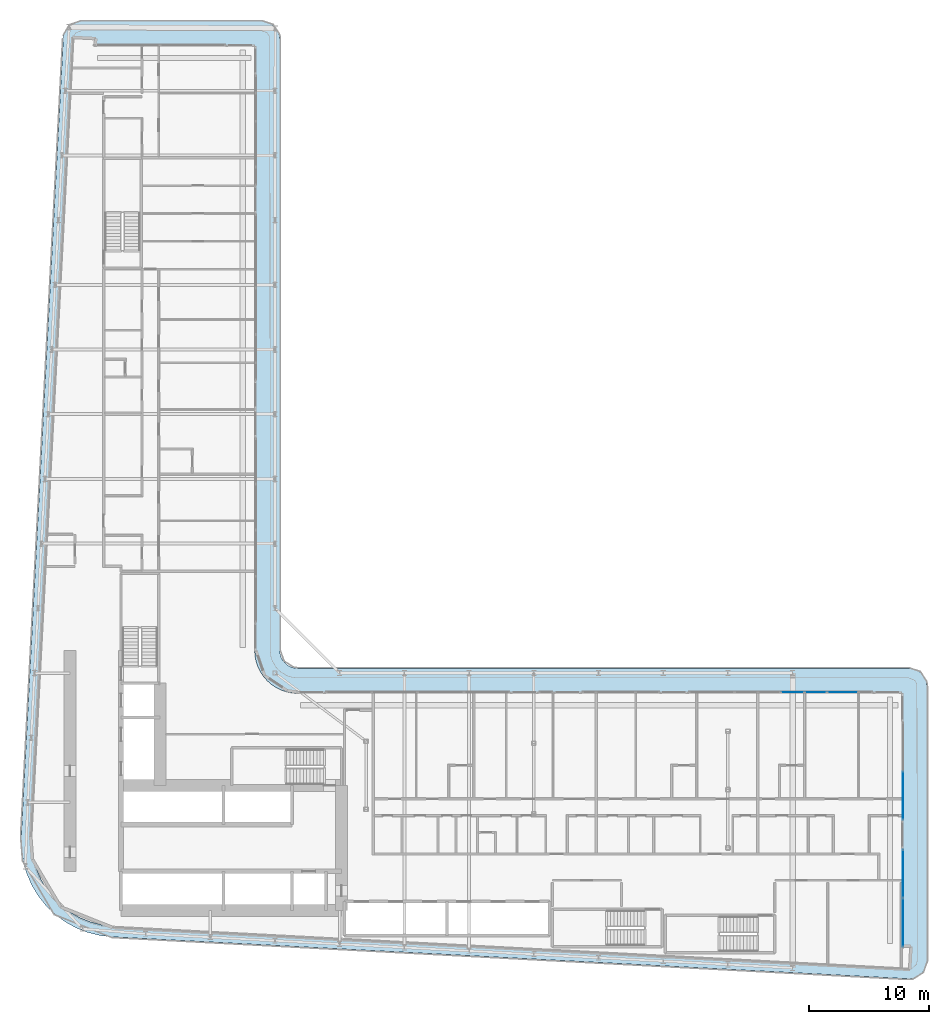
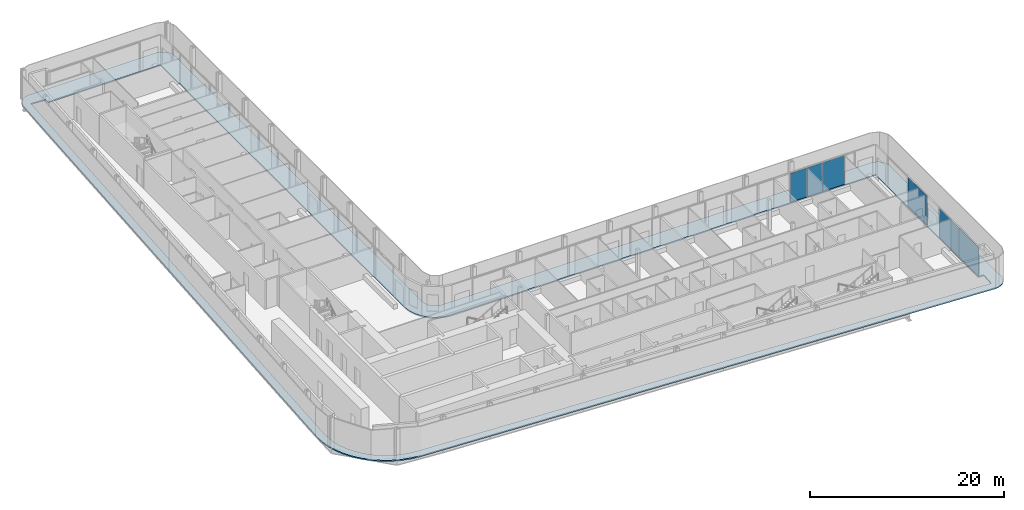
# One storey, part 12 of 29: 6 plates, 1 slab, 3 elements without a shape of their own.
"""IFC4 building model written with IfcOpenShell, lengths in metres."""

from ifc_helpers import new_model, si_unit, direction, frame, origin, origin_2d, place, context, subcontext, project, spatial, polyline, rectangle, outline, extrude, material, layer, layer_set, type_object, element, aggregate, save


model = new_model("IFC4")

# Units and contexts
model_context = context("Model", 3, precision=1e-05, world=origin(), true_north=direction((0.0, 1.0)))
body_context = subcontext(model_context, "Body", "Model", "MODEL_VIEW")
ifc_project = project(units=[si_unit("LENGTHUNIT", "METRE"), si_unit("AREAUNIT", "SQUARE_METRE"), si_unit("VOLUMEUNIT", "CUBIC_METRE"), si_unit("PLANEANGLEUNIT", "RADIAN"), si_unit("MASSUNIT", "GRAM", prefix="KILO")], contexts=[model_context])

# Site, building, storey
site_placement = place(None, origin())
site = spatial("IfcSite", under=ifc_project, at=site_placement, CompositionType="ELEMENT")
building_placement = place(site_placement, origin())
building = spatial("IfcBuilding", under=site, at=building_placement, Name="Kheshtan School and Residences Tower", CompositionType="ELEMENT")
storey_placement = place(building_placement, frame((0.0, 0.0, 65.60009765625)))
storey = spatial("IfcBuildingStorey", under=building, at=storey_placement, Name="L15", CompositionType="ELEMENT", Elevation=65.60009765625)

# Curtain wall, plates
ifc_material_1 = material(Name="Clear low-e glass in thermally broken aluminium frame", Category="aluminium")
ifc_layer_1 = layer(ifc_material_1, 0.199951171875)
ifc_layer_set_1 = layer_set([ifc_layer_1], Name="Curtain wall CW-L")
curtain_wall_type = type_object("IfcCurtainWallType", Name="Curtain wall CW-L", PredefinedType="NOTDEFINED", material=ifc_layer_set_1)
curtain_wall_1_placement = place(storey_placement, origin())
curtain_wall_1 = element("IfcCurtainWall", 1, at=curtain_wall_1_placement, inside=storey, type_object=curtain_wall_type, Name="Curtain wall CWL12m", PredefinedType="NOTDEFINED")
ifc_layer_2 = layer(ifc_material_1, 0.031982421875)
ifc_layer_set_2 = layer_set([ifc_layer_2], Name="CW-L glass panel")
plate_type = type_object("IfcPlateType", Name="CW-L glass panel", PredefinedType="CURTAIN_PANEL", material=ifc_layer_set_2)
plate_1_placement = place(storey_placement, frame((90.7880859375, 44.0, 0.0), z_axis=(0.0, 0.0, 1.0), x_axis=(1.0, 0.0, 0.0)))
plate_1 = element("IfcPlate", 2, at=plate_1_placement, type_object=plate_type, Name="CWL12m panel 1.1", PredefinedType="CURTAIN_PANEL", context=body_context, shape_type="SweptSolid", body=[
    extrude(rectangle(XDim=1.964111328125, YDim=0.031982421875, at=origin_2d()), origin(), (0.0, 0.0, 1.0), 3.6298828125),
])
plate_2_placement = place(storey_placement, frame((92.7265625, 44.0, 0.0), z_axis=(0.0, 0.0, 1.0), x_axis=(1.0, 0.0, 0.0)))
plate_2 = element("IfcPlate", 3, at=plate_2_placement, type_object=plate_type, Name="CWL12m panel 2.1", PredefinedType="CURTAIN_PANEL", context=body_context, shape_type="SweptSolid", body=[
    extrude(rectangle(XDim=1.79296875, YDim=0.031982421875, at=origin_2d()), origin(), (0.0, 0.0, 1.0), 3.6298828125),
])
plate_3_placement = place(storey_placement, frame((94.9765625, 44.0, 0.0), z_axis=(0.0, 0.0, 1.0), x_axis=(1.0, 0.0, 0.0)))
plate_3 = element("IfcPlate", 4, at=plate_3_placement, type_object=plate_type, Name="CWL12m panel 3.1", PredefinedType="CURTAIN_PANEL", context=body_context, shape_type="SweptSolid", body=[
    extrude(rectangle(XDim=2.5869140625, YDim=0.031982421875, at=origin_2d()), origin(), (0.0, 0.0, 1.0), 3.6298828125),
])
aggregate(curtain_wall_1, [plate_1, plate_2, plate_3])

# Curtain wall, plate
curtain_wall_2_placement = place(storey_placement, origin())
curtain_wall_2 = element("IfcCurtainWall", 5, at=curtain_wall_2_placement, inside=storey, type_object=curtain_wall_type, Name="Curtain wall CWL13b", PredefinedType="NOTDEFINED")
plate_4_placement = place(storey_placement, frame((100.0, 35.370361328125, 0.0), z_axis=(0.0, 0.0, 1.0), x_axis=(0.0, -1.0, 0.0)))
plate_4 = element("IfcPlate", 6, at=plate_4_placement, type_object=plate_type, Name="CWL13b panel 2.1", PredefinedType="CURTAIN_PANEL", context=body_context, shape_type="SweptSolid", body=[
    extrude(rectangle(XDim=4.006591796875, YDim=0.031982421875, at=origin_2d()), origin(), (0.0, 0.0, 1.0), 3.6298828125),
])
aggregate(curtain_wall_2, [plate_4])

# Curtain wall, plates
curtain_wall_3_placement = place(storey_placement, origin())
curtain_wall_3 = element("IfcCurtainWall", 7, at=curtain_wall_3_placement, inside=storey, type_object=curtain_wall_type, Name="Curtain wall CWL13b", PredefinedType="NOTDEFINED")
plate_5_placement = place(storey_placement, frame((100.0, 28.84375, 0.0), z_axis=(0.0, 0.0, 1.0), x_axis=(0.0, -1.0, 0.0)))
plate_5 = element("IfcPlate", 8, at=plate_5_placement, type_object=plate_type, Name="CWL13b panel 1.1", PredefinedType="CURTAIN_PANEL", context=body_context, shape_type="SweptSolid", body=[
    extrude(rectangle(XDim=4.006591796875, YDim=0.031982421875, at=origin_2d()), origin(), (0.0, 0.0, 1.0), 3.6298828125),
])
plate_6_placement = place(storey_placement, frame((100.0, 24.77734375, 0.0), z_axis=(0.0, 0.0, 1.0), x_axis=(0.0, -1.0, 0.0)))
plate_6 = element("IfcPlate", 9, at=plate_6_placement, type_object=plate_type, Name="CWL13b panel 2.1", PredefinedType="CURTAIN_PANEL", context=body_context, shape_type="SweptSolid", body=[
    extrude(rectangle(XDim=4.006591796875, YDim=0.031982421875, at=origin_2d()), origin(), (0.0, 0.0, 1.0), 3.6298828125),
])
aggregate(curtain_wall_3, [plate_5, plate_6])

# Slab
ifc_material_2 = material(Name="Concrete C40/50", Category="concrete")
ifc_layer_3 = layer(ifc_material_2, 0.14990234375)
ifc_layer_set_3 = layer_set([ifc_layer_3], Name="Loggia balcony slab 150 Concrete C40/50")
slab_type = type_object("IfcSlabType", Name="Loggia balcony slab 150 Concrete C40/50", PredefinedType="FLOOR", material=ifc_layer_set_3)
slab_placement = place(storey_placement, frame((0.0, 0.0, -0.150146484375)))
element("IfcSlab", 10, at=slab_placement, inside=storey, type_object=slab_type, Name="Loggia balcony slab L15", PredefinedType="FLOOR", context=body_context, shape_type="SweptSolid", body=[
    extrude(outline(polyline([(28.4580078125, 26.222900390625), (28.45703125, 26.222900390625), (28.45703125, 26.22412109375), (28.4560546875, 26.22412109375), (27.81494140625, 27.0390625), (27.281005859375, 27.93798828125), (26.867919921875, 28.89990234375), (26.583984375, 29.89990234375), (26.583984375, 29.906982421875), (26.43408203125, 30.943115234375), (26.419921875, 31.989013671875), (29.925048828125, 98.5791015625), (29.930908203125, 98.626953125), (29.930908203125, 98.6279296875), (29.929931640625, 98.6279296875), (29.929931640625, 98.62890625), (29.928955078125, 98.62890625), (29.928955078125, 98.6298828125), (29.927978515625, 98.6298828125), (29.927978515625, 98.631103515625), (29.927001953125, 98.631103515625), (29.927001953125, 98.632080078125), (29.927001953125, 98.633056640625), (29.945068359375, 98.781005859375), (29.945068359375, 98.783935546875), (29.945068359375, 98.784912109375), (29.946044921875, 98.784912109375), (29.946044921875, 98.785888671875), (29.947021484375, 98.785888671875), (29.947021484375, 98.787109375), (29.947998046875, 98.787109375), (29.948974609375, 98.787109375), (29.948974609375, 98.7880859375), (29.949951171875, 98.7880859375), (29.949951171875, 98.7890625), (29.949951171875, 98.791015625), (30.0029296875, 98.98388671875), (30.083984375, 99.175048828125), (30.18896484375, 99.35302734375), (30.31103515625, 99.507080078125), (30.31201171875, 99.507080078125), (30.31201171875, 99.508056640625), (30.31298828125, 99.508056640625), (30.31298828125, 99.509033203125), (30.31396484375, 99.509033203125), (30.31396484375, 99.510009765625), (30.31494140625, 99.510009765625), (30.31494140625, 99.510986328125), (30.31591796875, 99.510986328125), (30.31591796875, 99.511962890625), (30.31689453125, 99.511962890625), (30.31689453125, 99.512939453125), (30.318115234375, 99.512939453125), (30.320068359375, 99.512939453125), (30.321044921875, 99.512939453125), (30.321044921875, 99.513916015625), (30.468017578125, 99.656982421875), (30.468994140625, 99.656982421875), (30.468994140625, 99.657958984375), (30.469970703125, 99.657958984375), (30.469970703125, 99.658935546875), (30.470947265625, 99.658935546875), (30.470947265625, 99.659912109375), (30.471923828125, 99.659912109375), (30.471923828125, 99.660888671875), (30.472900390625, 99.660888671875), (30.472900390625, 99.662109375), (30.47412109375, 99.662109375), (30.47412109375, 99.6630859375), (30.47509765625, 99.6630859375), (30.47509765625, 99.6640625), (30.635986328125, 99.777099609375), (30.820068359375, 99.873046875), (31.007080078125, 99.943115234375), (31.013916015625, 99.943115234375), (31.217041015625, 99.986083984375), (31.423095703125, 100.0), (46.5, 100.0), (46.696044921875, 99.987060546875), (46.887939453125, 99.948974609375), (46.89501953125, 99.948974609375), (47.073974609375, 99.885986328125), (47.243896484375, 99.801025390625), (47.2451171875, 99.801025390625), (47.2470703125, 99.801025390625), (47.248046875, 99.801025390625), (47.248046875, 99.802001953125), (47.2490234375, 99.802001953125), (47.2490234375, 99.802978515625), (47.25, 99.802978515625), (47.2529296875, 99.802978515625), (47.25390625, 99.802978515625), (47.25390625, 99.802001953125), (47.2548828125, 99.802001953125), (47.2548828125, 99.801025390625), (47.256103515625, 99.801025390625), (47.256103515625, 99.800048828125), (47.257080078125, 99.800048828125), (47.257080078125, 99.799072265625), (47.258056640625, 99.799072265625), (47.258056640625, 99.798095703125), (47.412109375, 99.696044921875), (47.4130859375, 99.696044921875), (47.4130859375, 99.695068359375), (47.4140625, 99.695068359375), (47.4140625, 99.694091796875), (47.4140625, 99.68994140625), (47.4140625, 99.68896484375), (47.4150390625, 99.68896484375), (47.4150390625, 99.68798828125), (47.416015625, 99.68798828125), (47.416015625, 99.68701171875), (47.4169921875, 99.68701171875), (47.4169921875, 99.68603515625), (47.554931640625, 99.568115234375), (47.554931640625, 99.56689453125), (47.555908203125, 99.56689453125), (47.555908203125, 99.56591796875), (47.556884765625, 99.56591796875), (47.556884765625, 99.56494140625), (47.55810546875, 99.56494140625), (47.55810546875, 99.56396484375), (47.55908203125, 99.56396484375), (47.55908203125, 99.56298828125), (47.56005859375, 99.56298828125), (47.56005859375, 99.56201171875), (47.56103515625, 99.56201171875), (47.56201171875, 99.56103515625), (47.56201171875, 99.56005859375), (47.56298828125, 99.56005859375), (47.56298828125, 99.55908203125), (47.56396484375, 99.55908203125), (47.56396484375, 99.55810546875), (47.56494140625, 99.55810546875), (47.56494140625, 99.556884765625), (47.56591796875, 99.556884765625), (47.56591796875, 99.555908203125), (47.56689453125, 99.555908203125), (47.56689453125, 99.554931640625), (47.568115234375, 99.554931640625), (47.68505859375, 99.41796875), (47.68603515625, 99.41796875), (47.68603515625, 99.4169921875), (47.68701171875, 99.4169921875), (47.68701171875, 99.416015625), (47.68798828125, 99.416015625), (47.68798828125, 99.4150390625), (47.68896484375, 99.4150390625), (47.68896484375, 99.4140625), (47.68994140625, 99.4140625), (47.694091796875, 99.4140625), (47.695068359375, 99.4140625), (47.695068359375, 99.4130859375), (47.696044921875, 99.4130859375), (47.696044921875, 99.412109375), (47.797119140625, 99.259033203125), (47.798095703125, 99.259033203125), (47.798095703125, 99.258056640625), (47.799072265625, 99.258056640625), (47.799072265625, 99.257080078125), (47.800048828125, 99.257080078125), (47.800048828125, 99.256103515625), (47.801025390625, 99.256103515625), (47.801025390625, 99.2548828125), (47.802001953125, 99.2548828125), (47.802001953125, 99.25390625), (47.802978515625, 99.25390625), (47.802978515625, 99.2529296875), (47.802978515625, 99.25), (47.802978515625, 99.2490234375), (47.802001953125, 99.2490234375), (47.802001953125, 99.248046875), (47.801025390625, 99.248046875), (47.801025390625, 99.2470703125), (47.801025390625, 99.243896484375), (47.801025390625, 99.242919921875), (47.885986328125, 99.073974609375), (47.948974609375, 98.89501953125), (47.948974609375, 98.887939453125), (47.987060546875, 98.696044921875), (48.0, 98.5), (48.0, 47.5), (48.012939453125, 47.303955078125), (48.051025390625, 47.113037109375), (48.051025390625, 47.10693359375), (48.051025390625, 47.10595703125), (48.114013671875, 46.926025390625), (48.200927734375, 46.75), (48.31005859375, 46.5869140625), (48.431884765625, 46.444091796875), (48.43310546875, 46.444091796875), (48.43310546875, 46.443115234375), (48.43408203125, 46.443115234375), (48.43408203125, 46.44189453125), (48.43505859375, 46.44189453125), (48.43505859375, 46.44091796875), (48.43603515625, 46.44091796875), (48.43603515625, 46.43994140625), (48.43701171875, 46.43994140625), (48.43701171875, 46.43896484375), (48.43798828125, 46.43896484375), (48.43896484375, 46.43798828125), (48.43896484375, 46.43701171875), (48.43994140625, 46.43701171875), (48.43994140625, 46.43603515625), (48.44091796875, 46.43603515625), (48.44091796875, 46.43505859375), (48.44189453125, 46.43505859375), (48.44189453125, 46.43408203125), (48.443115234375, 46.43408203125), (48.443115234375, 46.43310546875), (48.444091796875, 46.43310546875), (48.444091796875, 46.431884765625), (48.5869140625, 46.31005859375), (48.75, 46.200927734375), (48.926025390625, 46.114013671875), (49.10595703125, 46.051025390625), (49.10693359375, 46.051025390625), (49.113037109375, 46.051025390625), (49.303955078125, 46.012939453125), (49.5, 46.0), (100.5, 46.0), (100.696044921875, 45.987060546875), (100.887939453125, 45.948974609375), (100.89501953125, 45.948974609375), (101.073974609375, 45.885986328125), (101.241943359375, 45.801025390625), (101.242919921875, 45.801025390625), (101.2470703125, 45.801025390625), (101.248046875, 45.801025390625), (101.248046875, 45.802001953125), (101.2490234375, 45.802001953125), (101.2490234375, 45.802978515625), (101.25, 45.802978515625), (101.2529296875, 45.802978515625), (101.25390625, 45.802978515625), (101.25390625, 45.802001953125), (101.2548828125, 45.802001953125), (101.2548828125, 45.801025390625), (101.256103515625, 45.801025390625), (101.256103515625, 45.800048828125), (101.257080078125, 45.800048828125), (101.257080078125, 45.799072265625), (101.258056640625, 45.799072265625), (101.258056640625, 45.798095703125), (101.259033203125, 45.798095703125), (101.259033203125, 45.797119140625), (101.260009765625, 45.797119140625), (101.260009765625, 45.7958984375), (101.412109375, 45.696044921875), (101.4130859375, 45.696044921875), (101.4130859375, 45.695068359375), (101.4140625, 45.695068359375), (101.4140625, 45.694091796875), (101.4140625, 45.68994140625), (101.4140625, 45.68896484375), (101.4150390625, 45.68896484375), (101.4150390625, 45.68798828125), (101.416015625, 45.68798828125), (101.416015625, 45.68701171875), (101.4169921875, 45.68701171875), (101.4169921875, 45.68603515625), (101.41796875, 45.68603515625), (101.41796875, 45.68505859375), (101.4189453125, 45.68505859375), (101.4189453125, 45.68408203125), (101.554931640625, 45.568115234375), (101.554931640625, 45.56689453125), (101.555908203125, 45.56689453125), (101.555908203125, 45.56591796875), (101.556884765625, 45.56591796875), (101.556884765625, 45.56494140625), (101.55810546875, 45.56494140625), (101.55810546875, 45.56396484375), (101.55908203125, 45.56396484375), (101.55908203125, 45.56298828125), (101.56005859375, 45.56298828125), (101.56005859375, 45.56201171875), (101.56103515625, 45.56201171875), (101.56201171875, 45.56103515625), (101.56201171875, 45.56005859375), (101.56298828125, 45.56005859375), (101.56298828125, 45.55908203125), (101.56396484375, 45.55908203125), (101.56396484375, 45.55810546875), (101.56494140625, 45.55810546875), (101.56494140625, 45.556884765625), (101.56591796875, 45.556884765625), (101.56591796875, 45.555908203125), (101.56689453125, 45.555908203125), (101.56689453125, 45.554931640625), (101.568115234375, 45.554931640625), (101.681884765625, 45.4208984375), (101.68310546875, 45.4208984375), (101.68310546875, 45.419921875), (101.68408203125, 45.419921875), (101.68408203125, 45.4189453125), (101.68505859375, 45.4189453125), (101.68505859375, 45.41796875), (101.68603515625, 45.41796875), (101.68603515625, 45.4169921875), (101.68701171875, 45.4169921875), (101.68701171875, 45.416015625), (101.68798828125, 45.416015625), (101.68798828125, 45.4150390625), (101.68896484375, 45.4150390625), (101.68896484375, 45.4140625), (101.68994140625, 45.4140625), (101.694091796875, 45.4140625), (101.695068359375, 45.4140625), (101.695068359375, 45.4130859375), (101.696044921875, 45.4130859375), (101.696044921875, 45.412109375), (101.7939453125, 45.261962890625), (101.794921875, 45.261962890625), (101.794921875, 45.260986328125), (101.7958984375, 45.260986328125), (101.7958984375, 45.260009765625), (101.797119140625, 45.260009765625), (101.797119140625, 45.259033203125), (101.798095703125, 45.259033203125), (101.798095703125, 45.258056640625), (101.799072265625, 45.258056640625), (101.799072265625, 45.257080078125), (101.800048828125, 45.257080078125), (101.800048828125, 45.256103515625), (101.801025390625, 45.256103515625), (101.801025390625, 45.2548828125), (101.802001953125, 45.2548828125), (101.802001953125, 45.25390625), (101.802978515625, 45.25390625), (101.802978515625, 45.2529296875), (101.802978515625, 45.25), (101.802978515625, 45.2490234375), (101.802001953125, 45.2490234375), (101.802001953125, 45.248046875), (101.801025390625, 45.248046875), (101.801025390625, 45.2470703125), (101.801025390625, 45.240966796875), (101.801025390625, 45.239990234375), (101.885986328125, 45.073974609375), (101.948974609375, 44.89501953125), (101.948974609375, 44.887939453125), (101.987060546875, 44.696044921875), (102.0, 44.5), (102.0, 21.5810546875), (101.986083984375, 21.37890625), (101.945068359375, 21.179931640625), (101.945068359375, 21.173095703125), (101.8779296875, 20.989013671875), (101.785888671875, 20.80810546875), (101.6708984375, 20.64306640625), (101.6708984375, 20.64208984375), (101.6708984375, 20.64111328125), (101.6708984375, 20.639892578125), (101.672119140625, 20.639892578125), (101.672119140625, 20.638916015625), (101.672119140625, 20.636962890625), (101.672119140625, 20.635986328125), (101.6708984375, 20.635986328125), (101.6708984375, 20.635009765625), (101.5380859375, 20.491943359375), (101.534912109375, 20.489013671875), (101.533935546875, 20.489013671875), (101.533935546875, 20.488037109375), (101.532958984375, 20.488037109375), (101.531005859375, 20.488037109375), (101.530029296875, 20.488037109375), (101.530029296875, 20.489013671875), (101.529052734375, 20.489013671875), (101.528076171875, 20.489013671875), (101.527099609375, 20.489013671875), (101.3759765625, 20.364013671875), (101.2041015625, 20.256103515625), (101.01904296875, 20.174072265625), (100.8310546875, 20.116943359375), (100.823974609375, 20.116943359375), (100.6240234375, 20.0859375), (100.4208984375, 20.0830078125), (33.989013671875, 23.580078125), (33.94189453125, 23.5859375), (33.94091796875, 23.5859375), (33.93994140625, 23.5859375), (33.93994140625, 23.5849609375), (33.93896484375, 23.5849609375), (33.93896484375, 23.583984375), (33.93798828125, 23.583984375), (33.93798828125, 23.5830078125), (33.93701171875, 23.5830078125), (33.93701171875, 23.58203125), (33.93603515625, 23.58203125), (33.93505859375, 23.58203125), (32.952880859375, 23.697998046875), (32.949951171875, 23.697998046875), (32.948974609375, 23.697998046875), (32.948974609375, 23.698974609375), (32.947998046875, 23.698974609375), (32.947998046875, 23.699951171875), (32.947021484375, 23.699951171875), (32.947021484375, 23.700927734375), (32.947021484375, 23.702880859375), (32.947021484375, 23.7041015625), (32.946044921875, 23.7041015625), (32.946044921875, 23.705078125), (32.945068359375, 23.705078125), (32.944091796875, 23.705078125), (31.93603515625, 23.9609375), (31.928955078125, 23.9609375), (30.964111328125, 24.34912109375), (30.051025390625, 24.860107421875), (29.218994140625, 25.47900390625), (29.218994140625, 25.47998046875), (29.218017578125, 25.47998046875), (29.218017578125, 25.48095703125), (29.217041015625, 25.48095703125), (29.217041015625, 25.48193359375), (29.216064453125, 25.48193359375), (29.216064453125, 25.48291015625), (29.215087890625, 25.48291015625), (29.215087890625, 25.48388671875), (29.214111328125, 25.48388671875), (29.214111328125, 25.485107421875), (29.212890625, 25.485107421875), (29.212890625, 25.486083984375), (29.2119140625, 25.486083984375), (28.466064453125, 26.217041015625), (28.466064453125, 26.218017578125), (28.465087890625, 26.218017578125), (28.462890625, 26.218017578125), (28.4619140625, 26.218017578125), (28.4619140625, 26.218994140625), (28.4609375, 26.218994140625), (28.4609375, 26.219970703125), (28.4599609375, 26.219970703125), (28.4599609375, 26.220947265625), (28.458984375, 26.220947265625), (28.458984375, 26.221923828125), (28.4580078125, 26.221923828125), (28.4580078125, 26.222900390625)]), holes=[polyline([(29.12890625, 26.824951171875), (29.12890625, 26.823974609375), (29.1298828125, 26.823974609375), (29.1298828125, 26.822998046875), (29.131103515625, 26.822998046875), (29.131103515625, 26.822021484375), (29.132080078125, 26.822021484375), (29.132080078125, 26.821044921875), (29.133056640625, 26.821044921875), (29.133056640625, 26.820068359375), (29.134033203125, 26.820068359375), (29.7958984375, 26.173095703125), (29.7958984375, 26.172119140625), (29.797119140625, 26.172119140625), (29.798095703125, 26.172119140625), (29.799072265625, 26.172119140625), (29.799072265625, 26.1708984375), (29.800048828125, 26.1708984375), (29.800048828125, 26.169921875), (29.801025390625, 26.169921875), (29.801025390625, 26.1689453125), (29.802001953125, 26.1689453125), (29.802001953125, 26.16796875), (29.802978515625, 26.16796875), (29.802978515625, 26.1669921875), (29.803955078125, 26.1669921875), (29.803955078125, 26.166015625), (30.541015625, 25.616943359375), (31.35205078125, 25.1630859375), (32.208984375, 24.819091796875), (32.2099609375, 24.819091796875), (32.216064453125, 24.819091796875), (33.114990234375, 24.590087890625), (34.06591796875, 24.47705078125), (100.43798828125, 20.98291015625), (100.465087890625, 20.98388671875), (100.466064453125, 20.98388671875), (100.467041015625, 20.98388671875), (100.467041015625, 20.985107421875), (100.468017578125, 20.985107421875), (100.468017578125, 20.986083984375), (100.468017578125, 20.987060546875), (100.55810546875, 22.676025390625), (100.55810546875, 22.677001953125), (100.55810546875, 22.677978515625), (100.556884765625, 22.677978515625), (100.556884765625, 22.678955078125), (100.555908203125, 22.678955078125), (100.554931640625, 22.678955078125), (99.90087890625, 22.714111328125), (99.89990234375, 22.714111328125), (99.89990234375, 22.715087890625), (99.89990234375, 43.89794921875), (99.89990234375, 43.89892578125), (99.89892578125, 43.89892578125), (99.89892578125, 43.89990234375), (99.89794921875, 43.89990234375), (49.429931640625, 43.89990234375), (49.030029296875, 43.927001953125), (48.569091796875, 44.01806640625), (48.56201171875, 44.01806640625), (48.1201171875, 44.169921875), (47.697021484375, 44.37890625), (47.30810546875, 44.638916015625), (46.95703125, 44.944091796875), (46.95703125, 44.945068359375), (46.9560546875, 44.945068359375), (46.9560546875, 44.946044921875), (46.955078125, 44.946044921875), (46.955078125, 44.947021484375), (46.9541015625, 44.947021484375), (46.9541015625, 44.947998046875), (46.952880859375, 44.947998046875), (46.952880859375, 44.948974609375), (46.951904296875, 44.948974609375), (46.951904296875, 44.949951171875), (46.951904296875, 44.950927734375), (46.950927734375, 44.950927734375), (46.950927734375, 44.951904296875), (46.949951171875, 44.951904296875), (46.948974609375, 44.951904296875), (46.948974609375, 44.952880859375), (46.947998046875, 44.952880859375), (46.947998046875, 44.9541015625), (46.947021484375, 44.9541015625), (46.947021484375, 44.955078125), (46.946044921875, 44.955078125), (46.946044921875, 44.9560546875), (46.945068359375, 44.9560546875), (46.945068359375, 44.95703125), (46.944091796875, 44.95703125), (46.638916015625, 45.30810546875), (46.37890625, 45.697021484375), (46.169921875, 46.1201171875), (46.01806640625, 46.56201171875), (46.01806640625, 46.569091796875), (45.927001953125, 47.030029296875), (45.89990234375, 47.429931640625), (45.89990234375, 97.89794921875), (45.89990234375, 97.89892578125), (45.89892578125, 97.89892578125), (45.89892578125, 97.89990234375), (45.89794921875, 97.89990234375), (32.492919921875, 97.89990234375), (32.491943359375, 97.89990234375), (32.52099609375, 98.43896484375), (32.52099609375, 98.43994140625), (32.52099609375, 98.44091796875), (32.52001953125, 98.44091796875), (32.52001953125, 98.44189453125), (32.51904296875, 98.44189453125), (32.51806640625, 98.44189453125), (30.8291015625, 98.531982421875), (30.827880859375, 98.531982421875), (30.826904296875, 98.531982421875), (30.826904296875, 98.531005859375), (30.825927734375, 98.531005859375), (30.825927734375, 98.530029296875), (30.825927734375, 98.529052734375), (30.822021484375, 98.5009765625), (27.320068359375, 31.970947265625), (27.3330078125, 31.013916015625), (27.466064453125, 30.093994140625), (27.466064453125, 30.087890625), (27.466064453125, 30.0869140625), (27.718017578125, 29.200927734375), (28.0849609375, 28.345947265625), (28.55908203125, 27.550048828125), (29.126953125, 26.825927734375), (29.1279296875, 26.825927734375), (29.1279296875, 26.824951171875), (29.12890625, 26.824951171875)])]), origin(), (0.0, 0.0, 1.0), 0.150146484375),
])

save(model, "model.ifc")
